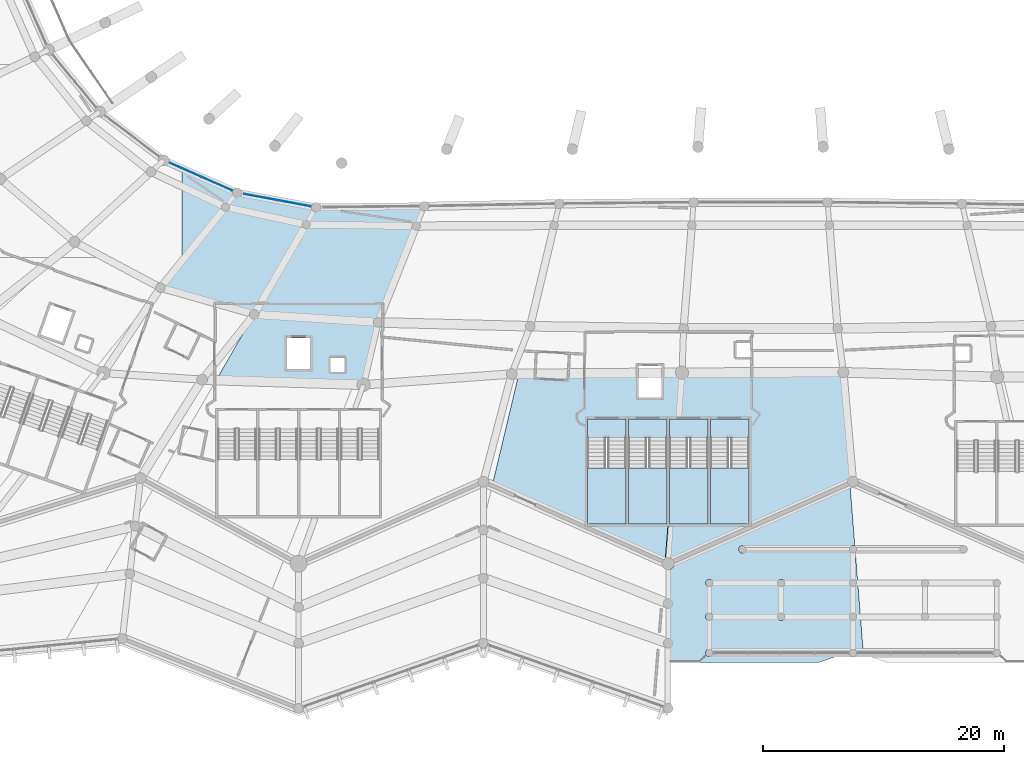
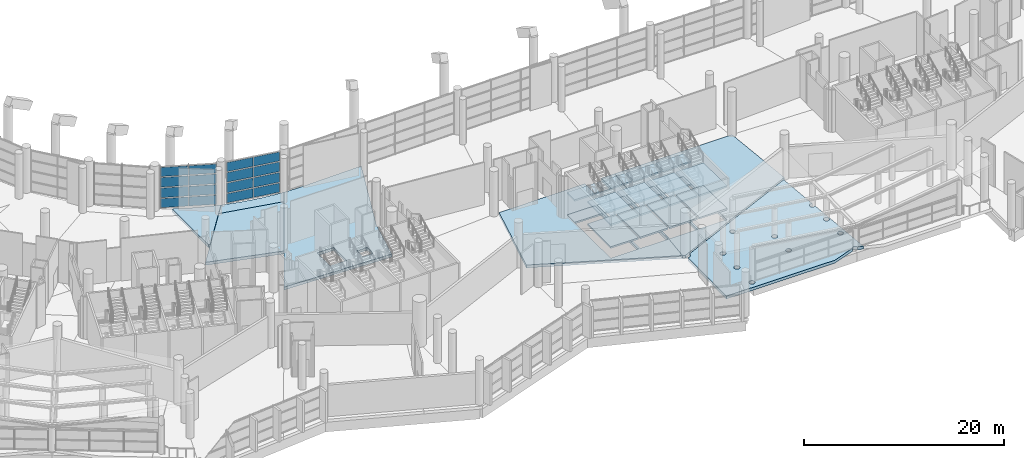
# One storey, part 119 of 271: 23 slabs, 16 plates, 6 elements without a shape of their own.
"""IFC4 building model written with IfcOpenShell, lengths in metres."""

from ifc_helpers import new_model, si_unit, direction, frame, origin, origin_2d, place, context, subcontext, project, spatial, polyline, rectangle, outline, extrude, material, layer, layer_set, type_object, element, aggregate, save


model = new_model("IFC4")

# Units and contexts
model_context = context("Model", 3, precision=1e-05, world=origin(), true_north=direction((0.0, 1.0)))
body_context = subcontext(model_context, "Body", "Model", "MODEL_VIEW")
ifc_project = project(units=[si_unit("LENGTHUNIT", "METRE"), si_unit("AREAUNIT", "SQUARE_METRE"), si_unit("VOLUMEUNIT", "CUBIC_METRE"), si_unit("PLANEANGLEUNIT", "RADIAN"), si_unit("MASSUNIT", "GRAM", prefix="KILO")], contexts=[model_context])

# Site, building, storey
site_placement = place(None, origin())
site = spatial("IfcSite", under=ifc_project, at=site_placement, CompositionType="ELEMENT")
building_placement = place(site_placement, origin())
building = spatial("IfcBuilding", under=site, at=building_placement, Name="Meseta Stadium", CompositionType="ELEMENT")
storey_placement = place(building_placement, frame((0.0, 0.0, 6.5)))
storey = spatial("IfcBuildingStorey", under=building, at=storey_placement, Name="L01", CompositionType="ELEMENT", Elevation=6.5)

# Curtain wall, plates
ifc_material_1 = material(Name="Aluminium", Category="aluminium")
ifc_layer_1 = layer(ifc_material_1, 0.199951171875)
ifc_layer_set_1 = layer_set([ifc_layer_1], Name="Club glazing curtain wall")
curtain_wall_type = type_object("IfcCurtainWallType", Name="Club glazing curtain wall", PredefinedType="NOTDEFINED", material=ifc_layer_set_1)
curtain_wall_1_placement = place(storey_placement, origin())
curtain_wall_1 = element("IfcCurtainWall", 1, at=curtain_wall_1_placement, inside=storey, type_object=curtain_wall_type, Name="Club glazing bay 41", PredefinedType="NOTDEFINED")
ifc_material_2 = material(Name="Glass", Category="glass")
ifc_layer_2 = layer(ifc_material_2, 0.028076171875)
ifc_layer_set_2 = layer_set([ifc_layer_2], Name="CW glass panel 28")
plate_type = type_object("IfcPlateType", Name="CW glass panel 28", PredefinedType="CURTAIN_PANEL", material=ifc_layer_set_2)
plate_1_placement = place(storey_placement, frame((-47.71533203125, -72.72216796875, 0.1201171875), z_axis=(0.0, 0.0, 1.0), x_axis=(0.914527256817, -0.40452428424, 0.0)))
plate_1 = element("IfcPlate", 2, at=plate_1_placement, type_object=plate_type, Name="CWC panel 1.1", PredefinedType="CURTAIN_PANEL", context=body_context, shape_type="SweptSolid", body=[
    extrude(rectangle(XDim=2.777099609375, YDim=0.028076171875, at=origin_2d()), origin(), (0.0, 0.0, 1.0), 1.107421875),
])
plate_2_placement = place(storey_placement, frame((-47.71533203125, -72.72216796875, 1.347412109375), z_axis=(0.0, 0.0, 1.0), x_axis=(0.914527256817, -0.40452428424, 0.0)))
plate_2 = element("IfcPlate", 3, at=plate_2_placement, type_object=plate_type, Name="CWC panel 1.2", PredefinedType="CURTAIN_PANEL", context=body_context, shape_type="SweptSolid", body=[
    extrude(rectangle(XDim=2.777099609375, YDim=0.028076171875, at=origin_2d()), origin(), (0.0, 0.0, 1.0), 1.16748046875),
])
plate_3_placement = place(storey_placement, frame((-47.71533203125, -72.72216796875, 2.635009765625), z_axis=(0.0, 0.0, 1.0), x_axis=(0.914527256817, -0.40452428424, 0.0)))
plate_3 = element("IfcPlate", 4, at=plate_3_placement, type_object=plate_type, Name="CWC panel 1.3", PredefinedType="CURTAIN_PANEL", context=body_context, shape_type="SweptSolid", body=[
    extrude(rectangle(XDim=2.777099609375, YDim=0.028076171875, at=origin_2d()), origin(), (0.0, 0.0, 1.0), 1.16748046875),
])
plate_4_placement = place(storey_placement, frame((-47.71533203125, -72.72216796875, 3.922607421875), z_axis=(0.0, 0.0, 1.0), x_axis=(0.914527256817, -0.40452428424, 0.0)))
plate_4 = element("IfcPlate", 5, at=plate_4_placement, type_object=plate_type, Name="CWC panel 1.4", PredefinedType="CURTAIN_PANEL", context=body_context, shape_type="SweptSolid", body=[
    extrude(rectangle(XDim=2.777099609375, YDim=0.028076171875, at=origin_2d()), origin(), (0.0, 0.0, 1.0), 1.107421875),
])
plate_5_placement = place(storey_placement, frame((-45.120849609375, -73.869873046875, 0.1201171875), z_axis=(0.0, 0.0, 1.0), x_axis=(0.914527256817, -0.40452428424, 0.0)))
plate_5 = element("IfcPlate", 6, at=plate_5_placement, type_object=plate_type, Name="CWC panel 2.1", PredefinedType="CURTAIN_PANEL", context=body_context, shape_type="SweptSolid", body=[
    extrude(rectangle(XDim=2.777099609375, YDim=0.028076171875, at=origin_2d()), origin(), (0.0, 0.0, 1.0), 1.107421875),
])
plate_6_placement = place(storey_placement, frame((-45.120849609375, -73.869873046875, 1.347412109375), z_axis=(0.0, 0.0, 1.0), x_axis=(0.914527256817, -0.40452428424, 0.0)))
plate_6 = element("IfcPlate", 7, at=plate_6_placement, type_object=plate_type, Name="CWC panel 2.2", PredefinedType="CURTAIN_PANEL", context=body_context, shape_type="SweptSolid", body=[
    extrude(rectangle(XDim=2.777099609375, YDim=0.028076171875, at=origin_2d()), origin(), (0.0, 0.0, 1.0), 1.16748046875),
])
plate_7_placement = place(storey_placement, frame((-45.120849609375, -73.869873046875, 2.635009765625), z_axis=(0.0, 0.0, 1.0), x_axis=(0.914527256817, -0.40452428424, 0.0)))
plate_7 = element("IfcPlate", 8, at=plate_7_placement, type_object=plate_type, Name="CWC panel 2.3", PredefinedType="CURTAIN_PANEL", context=body_context, shape_type="SweptSolid", body=[
    extrude(rectangle(XDim=2.777099609375, YDim=0.028076171875, at=origin_2d()), origin(), (0.0, 0.0, 1.0), 1.16748046875),
])
plate_8_placement = place(storey_placement, frame((-45.120849609375, -73.869873046875, 3.922607421875), z_axis=(0.0, 0.0, 1.0), x_axis=(0.914527256817, -0.40452428424, 0.0)))
plate_8 = element("IfcPlate", 9, at=plate_8_placement, type_object=plate_type, Name="CWC panel 2.4", PredefinedType="CURTAIN_PANEL", context=body_context, shape_type="SweptSolid", body=[
    extrude(rectangle(XDim=2.777099609375, YDim=0.028076171875, at=origin_2d()), origin(), (0.0, 0.0, 1.0), 1.107421875),
])
aggregate(curtain_wall_1, [plate_1, plate_2, plate_3, plate_4, plate_5, plate_6, plate_7, plate_8])

curtain_wall_2_placement = place(storey_placement, origin())
curtain_wall_2 = element("IfcCurtainWall", 10, at=curtain_wall_2_placement, inside=storey, type_object=curtain_wall_type, Name="Club glazing bay 42", PredefinedType="NOTDEFINED")
plate_9_placement = place(storey_placement, frame((-41.476318359375, -74.98046875, 0.1201171875), z_axis=(0.0, 0.0, 1.0), x_axis=(0.983187225977, -0.182600324962, 0.0)))
plate_9 = element("IfcPlate", 11, at=plate_9_placement, type_object=plate_type, Name="CWC panel 1.1", PredefinedType="CURTAIN_PANEL", context=body_context, shape_type="SweptSolid", body=[
    extrude(rectangle(XDim=2.76611328125, YDim=0.028076171875, at=origin_2d()), origin(), (0.0, 0.0, 1.0), 1.107421875),
])
plate_10_placement = place(storey_placement, frame((-41.476318359375, -74.98046875, 1.347412109375), z_axis=(0.0, 0.0, 1.0), x_axis=(0.983187225977, -0.182600324962, 0.0)))
plate_10 = element("IfcPlate", 12, at=plate_10_placement, type_object=plate_type, Name="CWC panel 1.2", PredefinedType="CURTAIN_PANEL", context=body_context, shape_type="SweptSolid", body=[
    extrude(rectangle(XDim=2.76611328125, YDim=0.028076171875, at=origin_2d()), origin(), (0.0, 0.0, 1.0), 1.16748046875),
])
plate_11_placement = place(storey_placement, frame((-41.476318359375, -74.98046875, 2.635009765625), z_axis=(0.0, 0.0, 1.0), x_axis=(0.983187225977, -0.182600324962, 0.0)))
plate_11 = element("IfcPlate", 13, at=plate_11_placement, type_object=plate_type, Name="CWC panel 1.3", PredefinedType="CURTAIN_PANEL", context=body_context, shape_type="SweptSolid", body=[
    extrude(rectangle(XDim=2.76611328125, YDim=0.028076171875, at=origin_2d()), origin(), (0.0, 0.0, 1.0), 1.16748046875),
])
plate_12_placement = place(storey_placement, frame((-41.476318359375, -74.98046875, 3.922607421875), z_axis=(0.0, 0.0, 1.0), x_axis=(0.983187225977, -0.182600324962, 0.0)))
plate_12 = element("IfcPlate", 14, at=plate_12_placement, type_object=plate_type, Name="CWC panel 1.4", PredefinedType="CURTAIN_PANEL", context=body_context, shape_type="SweptSolid", body=[
    extrude(rectangle(XDim=2.76611328125, YDim=0.028076171875, at=origin_2d()), origin(), (0.0, 0.0, 1.0), 1.107421875),
])
plate_13_placement = place(storey_placement, frame((-38.69775390625, -75.496337890625, 0.1201171875), z_axis=(0.0, 0.0, 1.0), x_axis=(0.983187225977, -0.182600324962, 0.0)))
plate_13 = element("IfcPlate", 15, at=plate_13_placement, type_object=plate_type, Name="CWC panel 2.1", PredefinedType="CURTAIN_PANEL", context=body_context, shape_type="SweptSolid", body=[
    extrude(rectangle(XDim=2.76611328125, YDim=0.028076171875, at=origin_2d()), origin(), (0.0, 0.0, 1.0), 1.107421875),
])
plate_14_placement = place(storey_placement, frame((-38.69775390625, -75.496337890625, 1.347412109375), z_axis=(0.0, 0.0, 1.0), x_axis=(0.983187225977, -0.182600324962, 0.0)))
plate_14 = element("IfcPlate", 16, at=plate_14_placement, type_object=plate_type, Name="CWC panel 2.2", PredefinedType="CURTAIN_PANEL", context=body_context, shape_type="SweptSolid", body=[
    extrude(rectangle(XDim=2.76611328125, YDim=0.028076171875, at=origin_2d()), origin(), (0.0, 0.0, 1.0), 1.16748046875),
])
plate_15_placement = place(storey_placement, frame((-38.69775390625, -75.496337890625, 2.635009765625), z_axis=(0.0, 0.0, 1.0), x_axis=(0.983187225977, -0.182600324962, 0.0)))
plate_15 = element("IfcPlate", 17, at=plate_15_placement, type_object=plate_type, Name="CWC panel 2.3", PredefinedType="CURTAIN_PANEL", context=body_context, shape_type="SweptSolid", body=[
    extrude(rectangle(XDim=2.76611328125, YDim=0.028076171875, at=origin_2d()), origin(), (0.0, 0.0, 1.0), 1.16748046875),
])
plate_16_placement = place(storey_placement, frame((-38.69775390625, -75.496337890625, 3.922607421875), z_axis=(0.0, 0.0, 1.0), x_axis=(0.983187225977, -0.182600324962, 0.0)))
plate_16 = element("IfcPlate", 18, at=plate_16_placement, type_object=plate_type, Name="CWC panel 2.4", PredefinedType="CURTAIN_PANEL", context=body_context, shape_type="SweptSolid", body=[
    extrude(rectangle(XDim=2.76611328125, YDim=0.028076171875, at=origin_2d()), origin(), (0.0, 0.0, 1.0), 1.107421875),
])
aggregate(curtain_wall_2, [plate_9, plate_10, plate_11, plate_12, plate_13, plate_14, plate_15, plate_16])

# Slabs
ifc_material_3 = material(Name="Concrete C40/50", Category="concrete")
ifc_layer_3 = layer(ifc_material_3, 0.35009765625)
ifc_layer_set_3 = layer_set([ifc_layer_3], Name="Floor slab 350")
slab_type_1 = type_object("IfcSlabType", Name="Floor slab 350", PredefinedType="FLOOR", material=ifc_layer_set_3)
slab_1_placement = place(storey_placement, frame((0.0, 0.0, -0.35009765625)))
element("IfcSlab", 19, at=slab_1_placement, inside=storey, type_object=slab_type_1, Name="Floor slab L01 sector 35 panel 19", PredefinedType="FLOOR", context=body_context, shape_type="SweptSolid", body=[
    extrude(outline(polyline([(-48.0, -74.1025390625), (-48.0, -80.0), (-47.787353515625, -80.0), (-43.440673828125, -74.614013671875), (-44.486083984375, -74.268310546875), (-45.527587890625, -73.87841796875), (-46.552978515625, -73.4482421875), (-47.560791015625, -72.978759765625), (-48.0, -72.753173828125), (-48.0, -74.1025390625)])), origin(), (0.0, 0.0, 1.0), 0.35009765625),
])
slab_2_placement = place(storey_placement, frame((0.0, 0.0, -0.35009765625)))
element("IfcSlab", 20, at=slab_2_placement, inside=storey, type_object=slab_type_1, Name="Floor slab L01 sector 42 panel 03", PredefinedType="FLOOR", context=body_context, shape_type="SweptSolid", body=[
    extrude(outline(polyline([(-37.711669921875, -77.26171875), (-44.37939453125, -75.80908203125), (-49.78076171875, -82.501708984375), (-42.015380859375, -84.707275390625), (-37.711669921875, -77.26171875)])), origin(), (0.0, 0.0, 1.0), 0.35009765625),
])
slab_3_placement = place(storey_placement, frame((0.0, 0.0, -0.35009765625)))
element("IfcSlab", 21, at=slab_3_placement, inside=storey, type_object=slab_type_1, Name="Floor slab L01 sector 42 panel 05", PredefinedType="FLOOR", context=body_context, shape_type="SweptSolid", body=[
    extrude(outline(polyline([(-42.362060546875, -74.925537109375), (-43.420166015625, -74.62060546875), (-44.379150390625, -75.808837890625), (-37.711669921875, -77.26171875), (-36.885986328125, -75.8330078125), (-37.993408203125, -75.73681640625), (-39.096435546875, -75.597900390625), (-40.193359375, -75.416015625), (-41.282470703125, -75.19189453125), (-42.362060546875, -74.925537109375)])), origin(), (0.0, 0.0, 1.0), 0.35009765625),
])
slab_4_placement = place(storey_placement, frame((0.0, 0.0, -0.35009765625)))
element("IfcSlab", 22, at=slab_4_placement, inside=storey, type_object=slab_type_1, Name="Floor slab L01 sector 42 panel 06", PredefinedType="FLOOR", context=body_context, shape_type="SweptSolid", body=[
    extrude(outline(polyline([(-36.8857421875, -75.8330078125), (-45.169189453125, -90.1630859375), (-32.944091796875, -90.551025390625), (-31.73681640625, -85.376708984375), (-27.910888671875, -75.735595703125), (-29.7890625, -75.776611328125), (-33.553466796875, -75.8623046875), (-34.664306640625, -75.895751953125), (-35.775634765625, -75.885986328125), (-36.8857421875, -75.8330078125)]), holes=[polyline([(-37.38330078125, -89.251220703125), (-39.283203125, -89.251220703125), (-39.283203125, -86.651123046875), (-37.38330078125, -86.651123046875), (-37.38330078125, -89.251220703125)]), polyline([(-35.683349609375, -88.301025390625), (-34.4833984375, -88.301025390625), (-34.4833984375, -89.501220703125), (-35.683349609375, -89.501220703125), (-35.683349609375, -88.301025390625)])]), origin(), (0.0, 0.0, 1.0), 0.35009765625),
])
slab_5_placement = place(storey_placement, frame((0.0, 0.0, -0.35009765625)))
element("IfcSlab", 23, at=slab_5_placement, inside=storey, type_object=slab_type_1, Name="Floor slab L01 sector 42 panel 09", PredefinedType="FLOOR", context=body_context, shape_type="SweptSolid", body=[
    extrude(outline(polyline([(-20.059814453125, -89.651611328125), (-22.267822265625, -98.9248046875), (-7.92724609375, -105.284423828125), (-7.566650390625, -100.740478515625), (-7.566650390625, -93.39990234375), (-6.984130859375, -93.39990234375), (-6.678466796875, -89.547607421875), (-8.216796875, -89.5595703125), (-8.216796875, -91.60009765625), (-10.11669921875, -91.60009765625), (-10.11669921875, -89.574462890625), (-20.059814453125, -89.651611328125)]), holes=[polyline([(-10.966796875, -93.39990234375), (-7.7666015625, -93.39990234375), (-7.7666015625, -102.10009765625), (-10.966796875, -102.10009765625), (-10.966796875, -93.39990234375)]), polyline([(-14.36669921875, -93.39990234375), (-11.166748046875, -93.39990234375), (-11.166748046875, -102.10009765625), (-14.36669921875, -102.10009765625), (-14.36669921875, -93.39990234375)])]), origin(), (0.0, 0.0, 1.0), 0.35009765625),
])
slab_6_placement = place(storey_placement, frame((0.0, 0.0, -0.35009765625)))
element("IfcSlab", 24, at=slab_6_placement, inside=storey, type_object=slab_type_1, Name="Floor slab L01 sector 42 panel 12", PredefinedType="FLOOR", context=body_context, shape_type="SweptSolid", body=[
    extrude(outline(polyline([(-7.566650390625, -102.10009765625), (-7.566650390625, -100.740478515625), (-7.92724609375, -105.284423828125), (-7.666748046875, -105.39990234375), (7.666748046875, -98.60009765625), (6.87060546875, -89.517822265625), (-6.51708984375, -89.54638671875), (-6.678466796875, -89.547607421875), (-6.984130859375, -93.39990234375), (-4.36669921875, -93.39990234375), (-4.36669921875, -102.10009765625), (-7.566650390625, -102.10009765625)]), holes=[polyline([(-0.966796875, -102.10009765625), (-4.166748046875, -102.10009765625), (-4.166748046875, -93.39990234375), (-0.966796875, -93.39990234375), (-0.966796875, -102.10009765625)])]), origin(), (0.0, 0.0, 1.0), 0.35009765625),
])
slab_7_placement = place(storey_placement, frame((0.0, 0.0, -0.35009765625)))
element("IfcSlab", 25, at=slab_7_placement, inside=storey, type_object=slab_type_1, Name="Gate hall floor slab 7 panel 01", PredefinedType="FLOOR", context=body_context, shape_type="SweptSolid", body=[
    extrude(outline(polyline([(7.949951171875, -112.69970703125), (8.531982421875, -112.90478515625), (7.859619140625, -104.43017578125), (7.818115234375, -104.4619140625), (7.7451171875, -104.4921875), (7.666748046875, -104.502685546875), (7.58837890625, -104.4921875), (7.515380859375, -104.4619140625), (7.45263671875, -104.4140625), (7.404541015625, -104.351318359375), (7.37451171875, -104.2783203125), (7.364013671875, -104.199951171875), (7.37451171875, -104.12158203125), (7.404541015625, -104.048583984375), (7.45263671875, -103.986083984375), (7.515380859375, -103.93798828125), (7.58837890625, -103.90771484375), (7.666748046875, -103.8974609375), (7.7451171875, -103.90771484375), (7.818115234375, -103.93798828125), (7.820556640625, -103.93994140625), (7.42724609375, -98.9833984375), (7.36083984375, -98.9326171875), (-7.165771484375, -105.374755859375), (-7.162353515625, -105.39990234375), (-7.179443359375, -105.530517578125), (-7.22998046875, -105.652099609375), (-7.31005859375, -105.756591796875), (-7.41455078125, -105.836669921875), (-7.5361328125, -105.88720703125), (-7.666748046875, -105.904296875), (-7.666748046875, -113.60009765625), (4.8271484375, -113.60009765625), (7.383544921875, -112.69970703125), (7.404541015625, -112.648681640625), (7.45263671875, -112.5859375), (7.515380859375, -112.5380859375), (7.58837890625, -112.5078125), (7.666748046875, -112.497314453125), (7.7451171875, -112.5078125), (7.818115234375, -112.5380859375), (7.880615234375, -112.5859375), (7.9287109375, -112.648681640625), (7.949951171875, -112.69970703125)]), holes=[polyline([(7.666748046875, -107.302490234375), (7.58837890625, -107.292236328125), (7.515380859375, -107.261962890625), (7.45263671875, -107.214111328125), (7.404541015625, -107.1513671875), (7.37451171875, -107.078369140625), (7.364013671875, -107.0), (7.37451171875, -106.921630859375), (7.404541015625, -106.8486328125), (7.45263671875, -106.785888671875), (7.515380859375, -106.738037109375), (7.58837890625, -106.707763671875), (7.666748046875, -106.697509765625), (7.7451171875, -106.707763671875), (7.818115234375, -106.738037109375), (7.880615234375, -106.785888671875), (7.9287109375, -106.8486328125), (7.958984375, -106.921630859375), (7.96923828125, -107.0), (7.958984375, -107.078369140625), (7.9287109375, -107.1513671875), (7.880615234375, -107.214111328125), (7.818115234375, -107.261962890625), (7.7451171875, -107.292236328125), (7.666748046875, -107.302490234375)]), polyline([(-4.052734375, -106.785888671875), (-4.004638671875, -106.8486328125), (-3.974365234375, -106.921630859375), (-3.964111328125, -107.0), (-3.974365234375, -107.078369140625), (-4.004638671875, -107.1513671875), (-4.052734375, -107.214111328125), (-4.115478515625, -107.261962890625), (-4.1884765625, -107.292236328125), (-4.2666015625, -107.302490234375), (-4.344970703125, -107.292236328125), (-4.41796875, -107.261962890625), (-4.480712890625, -107.214111328125), (-4.52880859375, -107.1513671875), (-4.558837890625, -107.078369140625), (-4.5693359375, -107.0), (-4.558837890625, -106.921630859375), (-4.52880859375, -106.8486328125), (-4.480712890625, -106.785888671875), (-4.41796875, -106.738037109375), (-4.344970703125, -106.707763671875), (-4.2666015625, -106.697509765625), (-4.1884765625, -106.707763671875), (-4.115478515625, -106.738037109375), (-4.052734375, -106.785888671875)]), polyline([(1.699951171875, -107.302490234375), (1.62158203125, -107.292236328125), (1.548583984375, -107.261962890625), (1.486083984375, -107.214111328125), (1.43798828125, -107.1513671875), (1.40771484375, -107.078369140625), (1.3974609375, -107.0), (1.40771484375, -106.921630859375), (1.43798828125, -106.8486328125), (1.486083984375, -106.785888671875), (1.548583984375, -106.738037109375), (1.62158203125, -106.707763671875), (1.699951171875, -106.697509765625), (1.7783203125, -106.707763671875), (1.851318359375, -106.738037109375), (1.9140625, -106.785888671875), (1.9619140625, -106.8486328125), (1.9921875, -106.921630859375), (2.002685546875, -107.0), (1.9921875, -107.078369140625), (1.9619140625, -107.1513671875), (1.9140625, -107.214111328125), (1.851318359375, -107.261962890625), (1.7783203125, -107.292236328125), (1.699951171875, -107.302490234375)]), polyline([(-4.2666015625, -112.497314453125), (-4.1884765625, -112.5078125), (-4.115478515625, -112.5380859375), (-4.052734375, -112.5859375), (-4.004638671875, -112.648681640625), (-3.974365234375, -112.7216796875), (-3.964111328125, -112.800048828125), (-3.974365234375, -112.87841796875), (-4.004638671875, -112.951416015625), (-4.052734375, -113.013916015625), (-4.115478515625, -113.06201171875), (-4.1884765625, -113.09228515625), (-4.2666015625, -113.1025390625), (-4.344970703125, -113.09228515625), (-4.41796875, -113.06201171875), (-4.480712890625, -113.013916015625), (-4.52880859375, -112.951416015625), (-4.558837890625, -112.87841796875), (-4.5693359375, -112.800048828125), (-4.558837890625, -112.7216796875), (-4.52880859375, -112.648681640625), (-4.480712890625, -112.5859375), (-4.41796875, -112.5380859375), (-4.344970703125, -112.5078125), (-4.2666015625, -112.497314453125)]), polyline([(-3.964111328125, -109.800048828125), (-3.974365234375, -109.87841796875), (-4.004638671875, -109.951416015625), (-4.052734375, -110.013916015625), (-4.115478515625, -110.06201171875), (-4.1884765625, -110.09228515625), (-4.2666015625, -110.1025390625), (-4.344970703125, -110.09228515625), (-4.41796875, -110.06201171875), (-4.480712890625, -110.013916015625), (-4.52880859375, -109.951416015625), (-4.558837890625, -109.87841796875), (-4.5693359375, -109.800048828125), (-4.558837890625, -109.7216796875), (-4.52880859375, -109.648681640625), (-4.480712890625, -109.5859375), (-4.41796875, -109.5380859375), (-4.344970703125, -109.5078125), (-4.2666015625, -109.497314453125), (-4.1884765625, -109.5078125), (-4.115478515625, -109.5380859375), (-4.052734375, -109.5859375), (-4.004638671875, -109.648681640625), (-3.974365234375, -109.7216796875), (-3.964111328125, -109.800048828125)]), polyline([(7.515380859375, -109.5380859375), (7.58837890625, -109.5078125), (7.666748046875, -109.497314453125), (7.7451171875, -109.5078125), (7.818115234375, -109.5380859375), (7.880615234375, -109.5859375), (7.9287109375, -109.648681640625), (7.958984375, -109.7216796875), (7.96923828125, -109.800048828125), (7.958984375, -109.87841796875), (7.9287109375, -109.951416015625), (7.880615234375, -110.013916015625), (7.818115234375, -110.06201171875), (7.7451171875, -110.09228515625), (7.666748046875, -110.1025390625), (7.58837890625, -110.09228515625), (7.515380859375, -110.06201171875), (7.45263671875, -110.013916015625), (7.404541015625, -109.951416015625), (7.37451171875, -109.87841796875), (7.364013671875, -109.800048828125), (7.37451171875, -109.7216796875), (7.404541015625, -109.648681640625), (7.45263671875, -109.5859375), (7.515380859375, -109.5380859375)]), polyline([(1.699951171875, -110.1025390625), (1.62158203125, -110.09228515625), (1.548583984375, -110.06201171875), (1.486083984375, -110.013916015625), (1.43798828125, -109.951416015625), (1.40771484375, -109.87841796875), (1.3974609375, -109.800048828125), (1.40771484375, -109.7216796875), (1.43798828125, -109.648681640625), (1.486083984375, -109.5859375), (1.548583984375, -109.5380859375), (1.62158203125, -109.5078125), (1.699951171875, -109.497314453125), (1.7783203125, -109.5078125), (1.851318359375, -109.5380859375), (1.9140625, -109.5859375), (1.9619140625, -109.648681640625), (1.9921875, -109.7216796875), (2.002685546875, -109.800048828125), (1.9921875, -109.87841796875), (1.9619140625, -109.951416015625), (1.9140625, -110.013916015625), (1.851318359375, -110.06201171875), (1.7783203125, -110.09228515625), (1.699951171875, -110.1025390625)]), polyline([(-1.668212890625, -103.93798828125), (-1.59521484375, -103.90771484375), (-1.516845703125, -103.8974609375), (-1.4384765625, -103.90771484375), (-1.365478515625, -103.93798828125), (-1.302734375, -103.986083984375), (-1.254638671875, -104.048583984375), (-1.224609375, -104.12158203125), (-1.214111328125, -104.199951171875), (-1.224609375, -104.2783203125), (-1.254638671875, -104.351318359375), (-1.302734375, -104.4140625), (-1.365478515625, -104.4619140625), (-1.4384765625, -104.4921875), (-1.516845703125, -104.502685546875), (-1.59521484375, -104.4921875), (-1.668212890625, -104.4619140625), (-1.730712890625, -104.4140625), (-1.77880859375, -104.351318359375), (-1.80908203125, -104.2783203125), (-1.8193359375, -104.199951171875), (-1.80908203125, -104.12158203125), (-1.77880859375, -104.048583984375), (-1.730712890625, -103.986083984375), (-1.668212890625, -103.93798828125)])]), origin(), (0.0, 0.0, 1.0), 0.35009765625),
])

# Stair, slabs
ifc_material_4 = material(Name="Concrete C40/50", Category="concrete")
stair_type = type_object("IfcStairType", Name="Exit stair 4 flights 153 mm risers", PredefinedType="HALF_TURN_STAIR", material=ifc_material_4)
stair_1_placement = place(storey_placement, origin())
stair_1 = element("IfcStair", 26, at=stair_1_placement, inside=storey, type_object=stair_type, Name="ST93 L01", PredefinedType="HALF_TURN_STAIR")
ifc_material_5 = material(Name="Concrete C40/50", Category="concrete")
ifc_layer_4 = layer(ifc_material_5, 0.199951171875)
ifc_layer_set_4 = layer_set([ifc_layer_4], Name="Stair landing 200")
slab_type_2 = type_object("IfcSlabType", Name="Stair landing 200", PredefinedType="LANDING", material=ifc_layer_set_4)
slab_8_placement = place(storey_placement, frame((0.0, 0.0, 1.175048828125)))
slab_8 = element("IfcSlab", 27, at=slab_8_placement, type_object=slab_type_2, Name="ST93 L01 landing 1", PredefinedType="LANDING", context=body_context, shape_type="SweptSolid", body=[
    extrude(outline(polyline([(-14.36669921875, -97.449951171875), (-14.36669921875, -102.10009765625), (-11.166748046875, -102.10009765625), (-11.166748046875, -97.449951171875), (-14.36669921875, -97.449951171875)])), origin(), (0.0, 0.0, 1.0), 0.199951171875),
])
slab_9_placement = place(storey_placement, frame((0.0, 0.0, 2.550048828125)))
slab_9 = element("IfcSlab", 28, at=slab_9_placement, type_object=slab_type_2, Name="ST93 L01 landing 2", PredefinedType="LANDING", context=body_context, shape_type="SweptSolid", body=[
    extrude(outline(polyline([(-14.36669921875, -93.39990234375), (-14.36669921875, -94.909912109375), (-11.166748046875, -94.909912109375), (-11.166748046875, -93.39990234375), (-14.36669921875, -93.39990234375)])), origin(), (0.0, 0.0, 1.0), 0.199951171875),
])
slab_10_placement = place(storey_placement, frame((0.0, 0.0, 3.925048828125)))
slab_10 = element("IfcSlab", 29, at=slab_10_placement, type_object=slab_type_2, Name="ST93 L01 landing 3", PredefinedType="LANDING", context=body_context, shape_type="SweptSolid", body=[
    extrude(outline(polyline([(-14.36669921875, -97.449951171875), (-14.36669921875, -102.10009765625), (-11.166748046875, -102.10009765625), (-11.166748046875, -97.449951171875), (-14.36669921875, -97.449951171875)])), origin(), (0.0, 0.0, 1.0), 0.199951171875),
])
slab_11_placement = place(storey_placement, frame((0.0, 0.0, -0.199951171875)))
slab_11 = element("IfcSlab", 30, at=slab_11_placement, type_object=slab_type_2, Name="ST93 L01 landing 4", PredefinedType="LANDING", context=body_context, shape_type="SweptSolid", body=[
    extrude(outline(polyline([(-14.36669921875, -93.39990234375), (-14.36669921875, -94.909912109375), (-11.166748046875, -94.909912109375), (-11.166748046875, -93.39990234375), (-14.36669921875, -93.39990234375)])), origin(), (0.0, 0.0, 1.0), 0.199951171875),
])
aggregate(stair_1, [slab_8, slab_9, slab_10, slab_11])

stair_2_placement = place(storey_placement, origin())
stair_2 = element("IfcStair", 31, at=stair_2_placement, inside=storey, type_object=stair_type, Name="ST94 L01", PredefinedType="HALF_TURN_STAIR")
slab_12_placement = place(storey_placement, frame((0.0, 0.0, 1.175048828125)))
slab_12 = element("IfcSlab", 32, at=slab_12_placement, type_object=slab_type_2, Name="ST94 L01 landing 1", PredefinedType="LANDING", context=body_context, shape_type="SweptSolid", body=[
    extrude(outline(polyline([(-10.966552734375, -97.449951171875), (-10.966552734375, -102.10009765625), (-7.7666015625, -102.10009765625), (-7.7666015625, -97.449951171875), (-10.966552734375, -97.449951171875)])), origin(), (0.0, 0.0, 1.0), 0.199951171875),
])
slab_13_placement = place(storey_placement, frame((0.0, 0.0, 2.550048828125)))
slab_13 = element("IfcSlab", 33, at=slab_13_placement, type_object=slab_type_2, Name="ST94 L01 landing 2", PredefinedType="LANDING", context=body_context, shape_type="SweptSolid", body=[
    extrude(outline(polyline([(-10.966552734375, -93.39990234375), (-10.966552734375, -94.909912109375), (-7.7666015625, -94.909912109375), (-7.7666015625, -93.39990234375), (-10.966552734375, -93.39990234375)])), origin(), (0.0, 0.0, 1.0), 0.199951171875),
])
slab_14_placement = place(storey_placement, frame((0.0, 0.0, 3.925048828125)))
slab_14 = element("IfcSlab", 34, at=slab_14_placement, type_object=slab_type_2, Name="ST94 L01 landing 3", PredefinedType="LANDING", context=body_context, shape_type="SweptSolid", body=[
    extrude(outline(polyline([(-10.966552734375, -97.449951171875), (-10.966552734375, -102.10009765625), (-7.7666015625, -102.10009765625), (-7.7666015625, -97.449951171875), (-10.966552734375, -97.449951171875)])), origin(), (0.0, 0.0, 1.0), 0.199951171875),
])
slab_15_placement = place(storey_placement, frame((0.0, 0.0, -0.199951171875)))
slab_15 = element("IfcSlab", 35, at=slab_15_placement, type_object=slab_type_2, Name="ST94 L01 landing 4", PredefinedType="LANDING", context=body_context, shape_type="SweptSolid", body=[
    extrude(outline(polyline([(-10.966552734375, -93.39990234375), (-10.966552734375, -94.909912109375), (-7.7666015625, -94.909912109375), (-7.7666015625, -93.39990234375), (-10.966552734375, -93.39990234375)])), origin(), (0.0, 0.0, 1.0), 0.199951171875),
])
aggregate(stair_2, [slab_12, slab_13, slab_14, slab_15])

stair_3_placement = place(storey_placement, origin())
stair_3 = element("IfcStair", 36, at=stair_3_placement, inside=storey, type_object=stair_type, Name="ST95 L01", PredefinedType="HALF_TURN_STAIR")
slab_16_placement = place(storey_placement, frame((0.0, 0.0, 1.175048828125)))
slab_16 = element("IfcSlab", 37, at=slab_16_placement, type_object=slab_type_2, Name="ST95 L01 landing 1", PredefinedType="LANDING", context=body_context, shape_type="SweptSolid", body=[
    extrude(outline(polyline([(-7.566650390625, -97.449951171875), (-7.566650390625, -102.10009765625), (-4.36669921875, -102.10009765625), (-4.36669921875, -97.449951171875), (-7.566650390625, -97.449951171875)])), origin(), (0.0, 0.0, 1.0), 0.199951171875),
])
slab_17_placement = place(storey_placement, frame((0.0, 0.0, 2.550048828125)))
slab_17 = element("IfcSlab", 38, at=slab_17_placement, type_object=slab_type_2, Name="ST95 L01 landing 2", PredefinedType="LANDING", context=body_context, shape_type="SweptSolid", body=[
    extrude(outline(polyline([(-7.566650390625, -93.39990234375), (-7.566650390625, -94.909912109375), (-4.36669921875, -94.909912109375), (-4.36669921875, -93.39990234375), (-7.566650390625, -93.39990234375)])), origin(), (0.0, 0.0, 1.0), 0.199951171875),
])
slab_18_placement = place(storey_placement, frame((0.0, 0.0, 3.925048828125)))
slab_18 = element("IfcSlab", 39, at=slab_18_placement, type_object=slab_type_2, Name="ST95 L01 landing 3", PredefinedType="LANDING", context=body_context, shape_type="SweptSolid", body=[
    extrude(outline(polyline([(-7.566650390625, -97.449951171875), (-7.566650390625, -102.10009765625), (-4.36669921875, -102.10009765625), (-4.36669921875, -97.449951171875), (-7.566650390625, -97.449951171875)])), origin(), (0.0, 0.0, 1.0), 0.199951171875),
])
slab_19_placement = place(storey_placement, frame((0.0, 0.0, -0.199951171875)))
slab_19 = element("IfcSlab", 40, at=slab_19_placement, type_object=slab_type_2, Name="ST95 L01 landing 4", PredefinedType="LANDING", context=body_context, shape_type="SweptSolid", body=[
    extrude(outline(polyline([(-7.566650390625, -93.39990234375), (-7.566650390625, -94.909912109375), (-4.36669921875, -94.909912109375), (-4.36669921875, -93.39990234375), (-7.566650390625, -93.39990234375)])), origin(), (0.0, 0.0, 1.0), 0.199951171875),
])
aggregate(stair_3, [slab_16, slab_17, slab_18, slab_19])

stair_4_placement = place(storey_placement, origin())
stair_4 = element("IfcStair", 41, at=stair_4_placement, inside=storey, type_object=stair_type, Name="ST96 L01", PredefinedType="HALF_TURN_STAIR")
slab_20_placement = place(storey_placement, frame((0.0, 0.0, 1.175048828125)))
slab_20 = element("IfcSlab", 42, at=slab_20_placement, type_object=slab_type_2, Name="ST96 L01 landing 1", PredefinedType="LANDING", context=body_context, shape_type="SweptSolid", body=[
    extrude(outline(polyline([(-4.166748046875, -97.449951171875), (-4.166748046875, -102.10009765625), (-0.966552734375, -102.10009765625), (-0.966552734375, -97.449951171875), (-4.166748046875, -97.449951171875)])), origin(), (0.0, 0.0, 1.0), 0.199951171875),
])
slab_21_placement = place(storey_placement, frame((0.0, 0.0, 2.550048828125)))
slab_21 = element("IfcSlab", 43, at=slab_21_placement, type_object=slab_type_2, Name="ST96 L01 landing 2", PredefinedType="LANDING", context=body_context, shape_type="SweptSolid", body=[
    extrude(outline(polyline([(-4.166748046875, -93.39990234375), (-4.166748046875, -94.909912109375), (-0.966552734375, -94.909912109375), (-0.966552734375, -93.39990234375), (-4.166748046875, -93.39990234375)])), origin(), (0.0, 0.0, 1.0), 0.199951171875),
])
slab_22_placement = place(storey_placement, frame((0.0, 0.0, 3.925048828125)))
slab_22 = element("IfcSlab", 44, at=slab_22_placement, type_object=slab_type_2, Name="ST96 L01 landing 3", PredefinedType="LANDING", context=body_context, shape_type="SweptSolid", body=[
    extrude(outline(polyline([(-4.166748046875, -97.449951171875), (-4.166748046875, -102.10009765625), (-0.966552734375, -102.10009765625), (-0.966552734375, -97.449951171875), (-4.166748046875, -97.449951171875)])), origin(), (0.0, 0.0, 1.0), 0.199951171875),
])
slab_23_placement = place(storey_placement, frame((0.0, 0.0, -0.199951171875)))
slab_23 = element("IfcSlab", 45, at=slab_23_placement, type_object=slab_type_2, Name="ST96 L01 landing 4", PredefinedType="LANDING", context=body_context, shape_type="SweptSolid", body=[
    extrude(outline(polyline([(-4.166748046875, -93.39990234375), (-4.166748046875, -94.909912109375), (-0.966552734375, -94.909912109375), (-0.966552734375, -93.39990234375), (-4.166748046875, -93.39990234375)])), origin(), (0.0, 0.0, 1.0), 0.199951171875),
])
aggregate(stair_4, [slab_20, slab_21, slab_22, slab_23])

save(model, "model.ifc")
